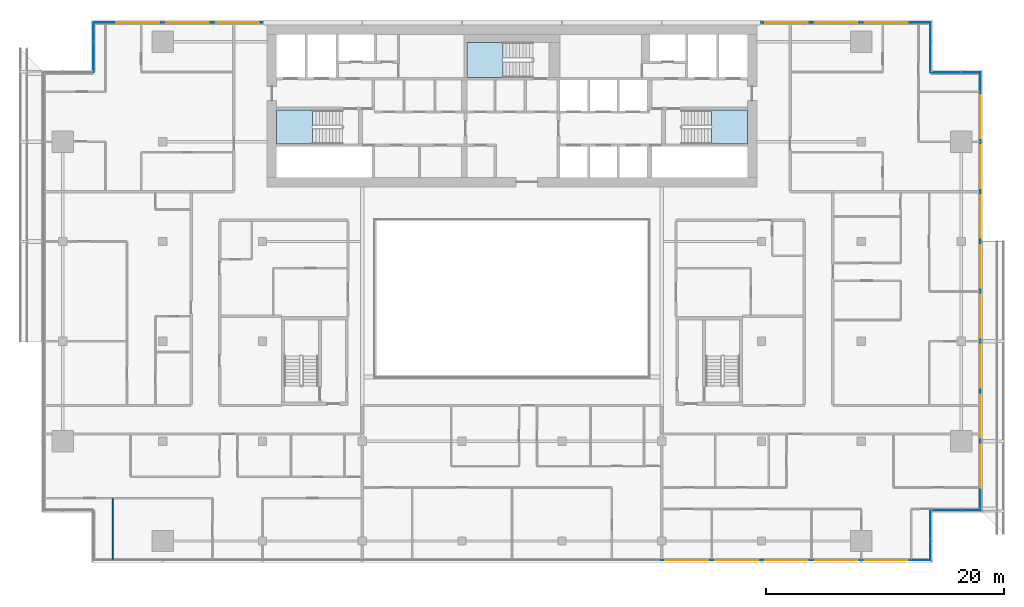
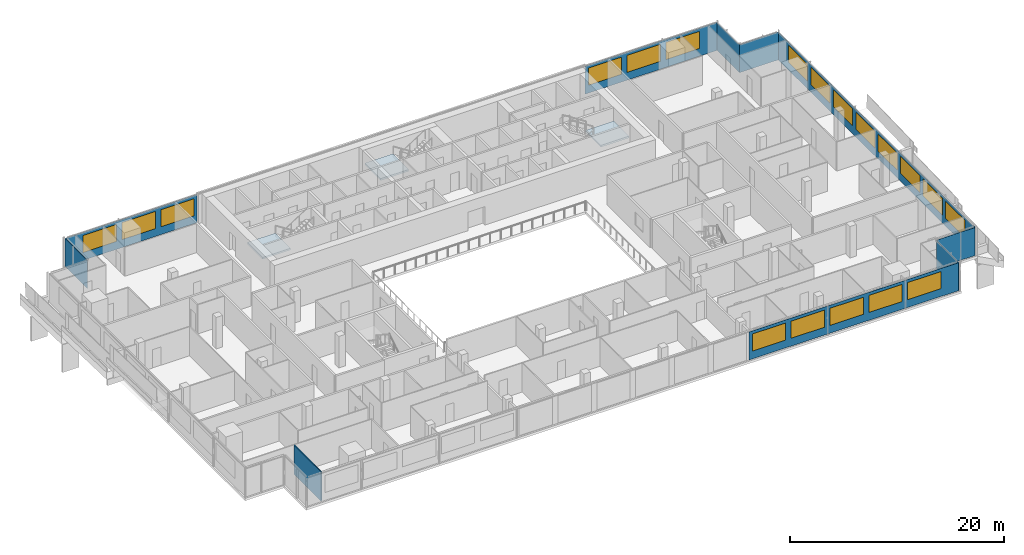
# One storey, part 15 of 27: 19 windows, 9 plates, 3 slabs, 1 wall, 19 openings, 11 elements without a shape of their own.
"""IFC4 building model written with IfcOpenShell, lengths in metres."""

from ifc_helpers import new_model, si_unit, direction, frame, frame_2d, origin, place, context, subcontext, project, spatial, polyline, rectangle, outline, extrude, material, layer, layer_set, type_object, element, fill, aggregate, save


model = new_model("IFC4")

# Units and contexts
model_context = context("Model", 3, precision=1e-05, world=origin(), true_north=direction((0.0, 1.0)))
body_context = subcontext(model_context, "Body", "Model", "MODEL_VIEW")
ifc_project = project(units=[si_unit("LENGTHUNIT", "METRE"), si_unit("AREAUNIT", "SQUARE_METRE"), si_unit("VOLUMEUNIT", "CUBIC_METRE"), si_unit("PLANEANGLEUNIT", "RADIAN"), si_unit("MASSUNIT", "GRAM", prefix="KILO")], contexts=[model_context])

# Site, building, storey
site_placement = place(None, origin())
site = spatial("IfcSite", under=ifc_project, at=site_placement, CompositionType="ELEMENT")
building_placement = place(site_placement, origin())
building = spatial("IfcBuilding", under=site, at=building_placement, Name="Saffron Gate Tower", CompositionType="ELEMENT")
storey_placement = place(building_placement, frame((0.0, 0.0, 183.449951171875)))
storey = spatial("IfcBuildingStorey", under=building, at=storey_placement, Name="L45", CompositionType="ELEMENT", Elevation=183.449951171875)

# Curtain wall, plate, openings, windows
ifc_material_1 = material(Name="Aluminium, bronze anodised", Category="aluminium")
curtain_wall_type_1 = type_object("IfcCurtainWallType", Name="CWS1 curtain wall front facade", PredefinedType="NOTDEFINED", material=ifc_material_1)
curtain_wall_1_placement = place(storey_placement, origin())
curtain_wall_1 = element("IfcCurtainWall", 1, at=curtain_wall_1_placement, inside=storey, type_object=curtain_wall_type_1, Name="CWS1 run 1", PredefinedType="NOTDEFINED")
ifc_material_2 = material(Name="Fritted bronze-tinted laminated glass", Category="glass")
ifc_layer_1 = layer(ifc_material_2, 0.028076171875)
ifc_layer_set_1 = layer_set([ifc_layer_1], Name="CWS1 fixed glass")
plate_type_1 = type_object("IfcPlateType", Name="CWS1 fixed glass", PredefinedType="CURTAIN_PANEL", material=ifc_layer_set_1)
plate_1_placement = place(storey_placement, frame((100.169921875, 30.174072265625, 0.0), z_axis=(0.0, 0.0, 1.0), x_axis=(1.0, 0.0, 0.0)))
plate_1 = element("IfcPlate", 2, at=plate_1_placement, type_object=plate_type_1, Name="CWS1 glass panel", PredefinedType="CURTAIN_PANEL", context=body_context, shape_type="SweptSolid", body=[
    extrude(rectangle(XDim=22.64208984375, YDim=0.028076171875, at=frame_2d((11.321044921875, 0.0))), origin(), (0.0, 0.0, 1.0), 3.199951171875),
])
opening_1_placement = place(plate_1_placement, frame((0.330078125, 0.0, 0.89990234375)))
opening_1 = element("IfcOpeningElement", 3, at=opening_1_placement, cuts=plate_1, Name="Opening W1", PredefinedType="OPENING", context=body_context, shape_type="SweptSolid", body=[
    extrude(rectangle(XDim=3.60009765625, YDim=1.949951171875, at=frame_2d((1.800048828125, 0.97509765625))), frame((0.0, 0.02392578125, 0.0), z_axis=(0.0, -1.0, 0.0), x_axis=(1.0, 0.0, 0.0)), (0.0, 0.0, 1.0), 0.048095703125),
])
opening_2_placement = place(plate_1_placement, frame((4.530029296875, 0.0, 0.89990234375)))
opening_2 = element("IfcOpeningElement", 4, at=opening_2_placement, cuts=plate_1, Name="Opening W1", PredefinedType="OPENING", context=body_context, shape_type="SweptSolid", body=[
    extrude(rectangle(XDim=3.60009765625, YDim=1.949951171875, at=frame_2d((1.800048828125, 0.97509765625))), frame((0.0, 0.02392578125, 0.0), z_axis=(0.0, -1.0, 0.0), x_axis=(1.0, 0.0, 0.0)), (0.0, 0.0, 1.0), 0.048095703125),
])
opening_3_placement = place(plate_1_placement, frame((8.72998046875, 0.0, 0.89990234375)))
opening_3 = element("IfcOpeningElement", 5, at=opening_3_placement, cuts=plate_1, Name="Opening W1", PredefinedType="OPENING", context=body_context, shape_type="SweptSolid", body=[
    extrude(rectangle(XDim=3.60009765625, YDim=1.949951171875, at=frame_2d((1.800048828125, 0.97509765625))), frame((0.0, 0.02392578125, 0.0), z_axis=(0.0, -1.0, 0.0), x_axis=(1.0, 0.0, 0.0)), (0.0, 0.0, 1.0), 0.048095703125),
])
opening_4_placement = place(plate_1_placement, frame((12.929931640625, 0.0, 0.89990234375)))
opening_4 = element("IfcOpeningElement", 6, at=opening_4_placement, cuts=plate_1, Name="Opening W1", PredefinedType="OPENING", context=body_context, shape_type="SweptSolid", body=[
    extrude(rectangle(XDim=3.60009765625, YDim=1.949951171875, at=frame_2d((1.800048828125, 0.97509765625))), frame((0.0, 0.02392578125, 0.0), z_axis=(0.0, -1.0, 0.0), x_axis=(1.0, 0.0, 0.0)), (0.0, 0.0, 1.0), 0.048095703125),
])
opening_5_placement = place(plate_1_placement, frame((17.1298828125, 0.0, 0.89990234375)))
opening_5 = element("IfcOpeningElement", 7, at=opening_5_placement, cuts=plate_1, Name="Opening W1", PredefinedType="OPENING", context=body_context, shape_type="SweptSolid", body=[
    extrude(rectangle(XDim=3.60009765625, YDim=1.949951171875, at=frame_2d((1.800048828125, 0.97509765625))), frame((0.0, 0.02392578125, 0.0), z_axis=(0.0, -1.0, 0.0), x_axis=(1.0, 0.0, 0.0)), (0.0, 0.0, 1.0), 0.048095703125),
])
ifc_material_3 = material(Name="Fritted bronze-tinted laminated glass in bronze frame", Category="glass")
ifc_layer_2 = layer(ifc_material_3, 0.06005859375)
ifc_layer_set_2 = layer_set([ifc_layer_2], Name="W1 operable panel 3600x1950")
window_type = type_object("IfcWindowType", Name="W1 operable panel 3600x1950", PartitioningType="DOUBLE_PANEL_HORIZONTAL", PredefinedType="WINDOW", material=ifc_layer_set_2)
window_1_placement = place(opening_1_placement, origin())
window_1 = element("IfcWindow", 8, at=window_1_placement, type_object=window_type, Name="W1 operable panel", OverallHeight=1.949951171875, OverallWidth=3.60009765625, PartitioningType="SINGLE_PANEL", PredefinedType="WINDOW", context=body_context, shape_type="SweptSolid", body=[
    extrude(rectangle(XDim=3.60009765625, YDim=1.949951171875, at=frame_2d((1.800048828125, 0.97509765625))), frame((0.0, 0.013671875, 0.0), z_axis=(0.0, -1.0, 0.0), x_axis=(1.0, 0.0, 0.0)), (0.0, 0.0, 1.0), 0.027587890625),
])
fill(opening_1, window_1)
window_2_placement = place(opening_2_placement, origin())
window_2 = element("IfcWindow", 9, at=window_2_placement, type_object=window_type, Name="W1 operable panel", OverallHeight=1.949951171875, OverallWidth=3.60009765625, PartitioningType="SINGLE_PANEL", PredefinedType="WINDOW", context=body_context, shape_type="SweptSolid", body=[
    extrude(rectangle(XDim=3.60009765625, YDim=1.949951171875, at=frame_2d((1.800048828125, 0.97509765625))), frame((0.0, 0.013671875, 0.0), z_axis=(0.0, -1.0, 0.0), x_axis=(1.0, 0.0, 0.0)), (0.0, 0.0, 1.0), 0.027587890625),
])
fill(opening_2, window_2)
window_3_placement = place(opening_3_placement, origin())
window_3 = element("IfcWindow", 10, at=window_3_placement, type_object=window_type, Name="W1 operable panel", OverallHeight=1.949951171875, OverallWidth=3.60009765625, PartitioningType="SINGLE_PANEL", PredefinedType="WINDOW", context=body_context, shape_type="SweptSolid", body=[
    extrude(rectangle(XDim=3.60009765625, YDim=1.949951171875, at=frame_2d((1.800048828125, 0.97509765625))), frame((0.0, 0.013671875, 0.0), z_axis=(0.0, -1.0, 0.0), x_axis=(1.0, 0.0, 0.0)), (0.0, 0.0, 1.0), 0.027587890625),
])
fill(opening_3, window_3)
window_4_placement = place(opening_4_placement, origin())
window_4 = element("IfcWindow", 11, at=window_4_placement, type_object=window_type, Name="W1 operable panel", OverallHeight=1.949951171875, OverallWidth=3.60009765625, PartitioningType="SINGLE_PANEL", PredefinedType="WINDOW", context=body_context, shape_type="SweptSolid", body=[
    extrude(rectangle(XDim=3.60009765625, YDim=1.949951171875, at=frame_2d((1.800048828125, 0.97509765625))), frame((0.0, 0.013671875, 0.0), z_axis=(0.0, -1.0, 0.0), x_axis=(1.0, 0.0, 0.0)), (0.0, 0.0, 1.0), 0.027587890625),
])
fill(opening_4, window_4)
window_5_placement = place(opening_5_placement, origin())
window_5 = element("IfcWindow", 12, at=window_5_placement, type_object=window_type, Name="W1 operable panel", OverallHeight=1.949951171875, OverallWidth=3.60009765625, PartitioningType="SINGLE_PANEL", PredefinedType="WINDOW", context=body_context, shape_type="SweptSolid", body=[
    extrude(rectangle(XDim=3.60009765625, YDim=1.949951171875, at=frame_2d((1.800048828125, 0.97509765625))), frame((0.0, 0.013671875, 0.0), z_axis=(0.0, -1.0, 0.0), x_axis=(1.0, 0.0, 0.0)), (0.0, 0.0, 1.0), 0.027587890625),
])
fill(opening_5, window_5)
aggregate(curtain_wall_1, [plate_1, window_1, window_2, window_3, window_4, window_5])

curtain_wall_type_2 = type_object("IfcCurtainWallType", Name="CWS2 curtain wall side facades", PredefinedType="NOTDEFINED", material=ifc_material_1)
curtain_wall_2_placement = place(storey_placement, origin())
curtain_wall_2 = element("IfcCurtainWall", 13, at=curtain_wall_2_placement, inside=storey, type_object=curtain_wall_type_2, Name="CWS2 run 4", PredefinedType="NOTDEFINED")
ifc_layer_3 = layer(ifc_material_2, 0.028076171875)
ifc_layer_set_3 = layer_set([ifc_layer_3], Name="CWS2 fixed glass")
plate_type_2 = type_object("IfcPlateType", Name="CWS2 fixed glass", PredefinedType="CURTAIN_PANEL", material=ifc_layer_set_3)
plate_2_placement = place(storey_placement, frame((127.02587890625, 34.387939453125, 0.0), z_axis=(0.0, 0.0, 1.0), x_axis=(0.0, 1.0, 0.0)))
plate_2 = element("IfcPlate", 14, at=plate_2_placement, type_object=plate_type_2, Name="CWS2 glass panel", PredefinedType="CURTAIN_PANEL", context=body_context, shape_type="SweptSolid", body=[
    extrude(rectangle(XDim=36.823974609375, YDim=0.028076171875, at=frame_2d((18.412109375, 0.0))), origin(), (0.0, 0.0, 1.0), 3.199951171875),
])
opening_6_placement = place(plate_2_placement, frame((1.912109375, 0.0, 0.89990234375)))
opening_6 = element("IfcOpeningElement", 15, at=opening_6_placement, cuts=plate_2, Name="Opening W1", PredefinedType="OPENING", context=body_context, shape_type="SweptSolid", body=[
    extrude(rectangle(XDim=3.60009765625, YDim=1.949951171875, at=frame_2d((1.800048828125, 0.97509765625))), frame((0.0, 0.02392578125, 0.0), z_axis=(0.0, -1.0, 0.0), x_axis=(1.0, 0.0, 0.0)), (0.0, 0.0, 1.0), 0.048095703125),
])
opening_7_placement = place(plate_2_placement, frame((6.112060546875, 0.0, 0.89990234375)))
opening_7 = element("IfcOpeningElement", 16, at=opening_7_placement, cuts=plate_2, Name="Opening W1", PredefinedType="OPENING", context=body_context, shape_type="SweptSolid", body=[
    extrude(rectangle(XDim=3.60009765625, YDim=1.949951171875, at=frame_2d((1.800048828125, 0.97509765625))), frame((0.0, 0.02392578125, 0.0), z_axis=(0.0, -1.0, 0.0), x_axis=(1.0, 0.0, 0.0)), (0.0, 0.0, 1.0), 0.048095703125),
])
opening_8_placement = place(plate_2_placement, frame((10.31201171875, 0.0, 0.89990234375)))
opening_8 = element("IfcOpeningElement", 17, at=opening_8_placement, cuts=plate_2, Name="Opening W1", PredefinedType="OPENING", context=body_context, shape_type="SweptSolid", body=[
    extrude(rectangle(XDim=3.60009765625, YDim=1.949951171875, at=frame_2d((1.800048828125, 0.97509765625))), frame((0.0, 0.02392578125, 0.0), z_axis=(0.0, -1.0, 0.0), x_axis=(1.0, 0.0, 0.0)), (0.0, 0.0, 1.0), 0.048095703125),
])
opening_9_placement = place(plate_2_placement, frame((14.511962890625, 0.0, 0.89990234375)))
opening_9 = element("IfcOpeningElement", 18, at=opening_9_placement, cuts=plate_2, Name="Opening W1", PredefinedType="OPENING", context=body_context, shape_type="SweptSolid", body=[
    extrude(rectangle(XDim=3.60009765625, YDim=1.949951171875, at=frame_2d((1.800048828125, 0.97509765625))), frame((0.0, 0.02392578125, 0.0), z_axis=(0.0, -1.0, 0.0), x_axis=(1.0, 0.0, 0.0)), (0.0, 0.0, 1.0), 0.048095703125),
])
opening_10_placement = place(plate_2_placement, frame((18.7119140625, 0.0, 0.89990234375)))
opening_10 = element("IfcOpeningElement", 19, at=opening_10_placement, cuts=plate_2, Name="Opening W1", PredefinedType="OPENING", context=body_context, shape_type="SweptSolid", body=[
    extrude(rectangle(XDim=3.60009765625, YDim=1.949951171875, at=frame_2d((1.800048828125, 0.97509765625))), frame((0.0, 0.02392578125, 0.0), z_axis=(0.0, -1.0, 0.0), x_axis=(1.0, 0.0, 0.0)), (0.0, 0.0, 1.0), 0.048095703125),
])
opening_11_placement = place(plate_2_placement, frame((22.912109375, 0.0, 0.89990234375)))
opening_11 = element("IfcOpeningElement", 20, at=opening_11_placement, cuts=plate_2, Name="Opening W1", PredefinedType="OPENING", context=body_context, shape_type="SweptSolid", body=[
    extrude(rectangle(XDim=3.60009765625, YDim=1.949951171875, at=frame_2d((1.800048828125, 0.97509765625))), frame((0.0, 0.02392578125, 0.0), z_axis=(0.0, -1.0, 0.0), x_axis=(1.0, 0.0, 0.0)), (0.0, 0.0, 1.0), 0.048095703125),
])
opening_12_placement = place(plate_2_placement, frame((27.112060546875, 0.0, 0.89990234375)))
opening_12 = element("IfcOpeningElement", 21, at=opening_12_placement, cuts=plate_2, Name="Opening W1", PredefinedType="OPENING", context=body_context, shape_type="SweptSolid", body=[
    extrude(rectangle(XDim=3.60009765625, YDim=1.949951171875, at=frame_2d((1.800048828125, 0.97509765625))), frame((0.0, 0.02392578125, 0.0), z_axis=(0.0, -1.0, 0.0), x_axis=(1.0, 0.0, 0.0)), (0.0, 0.0, 1.0), 0.048095703125),
])
opening_13_placement = place(plate_2_placement, frame((31.31201171875, 0.0, 0.89990234375)))
opening_13 = element("IfcOpeningElement", 22, at=opening_13_placement, cuts=plate_2, Name="Opening W1", PredefinedType="OPENING", context=body_context, shape_type="SweptSolid", body=[
    extrude(rectangle(XDim=3.60009765625, YDim=1.949951171875, at=frame_2d((1.800048828125, 0.97509765625))), frame((0.0, 0.02392578125, 0.0), z_axis=(0.0, -1.0, 0.0), x_axis=(1.0, 0.0, 0.0)), (0.0, 0.0, 1.0), 0.048095703125),
])
window_6_placement = place(opening_6_placement, origin())
window_6 = element("IfcWindow", 23, at=window_6_placement, type_object=window_type, Name="W1 operable panel", OverallHeight=1.949951171875, OverallWidth=3.60009765625, PartitioningType="SINGLE_PANEL", PredefinedType="WINDOW", context=body_context, shape_type="SweptSolid", body=[
    extrude(rectangle(XDim=3.60009765625, YDim=1.949951171875, at=frame_2d((1.800048828125, 0.97509765625))), frame((0.0, 0.013671875, 0.0), z_axis=(0.0, -1.0, 0.0), x_axis=(1.0, 0.0, 0.0)), (0.0, 0.0, 1.0), 0.027587890625),
])
fill(opening_6, window_6)
window_7_placement = place(opening_7_placement, origin())
window_7 = element("IfcWindow", 24, at=window_7_placement, type_object=window_type, Name="W1 operable panel", OverallHeight=1.949951171875, OverallWidth=3.60009765625, PartitioningType="SINGLE_PANEL", PredefinedType="WINDOW", context=body_context, shape_type="SweptSolid", body=[
    extrude(rectangle(XDim=3.60009765625, YDim=1.949951171875, at=frame_2d((1.800048828125, 0.97509765625))), frame((0.0, 0.013671875, 0.0), z_axis=(0.0, -1.0, 0.0), x_axis=(1.0, 0.0, 0.0)), (0.0, 0.0, 1.0), 0.027587890625),
])
fill(opening_7, window_7)
window_8_placement = place(opening_8_placement, origin())
window_8 = element("IfcWindow", 25, at=window_8_placement, type_object=window_type, Name="W1 operable panel", OverallHeight=1.949951171875, OverallWidth=3.60009765625, PartitioningType="SINGLE_PANEL", PredefinedType="WINDOW", context=body_context, shape_type="SweptSolid", body=[
    extrude(rectangle(XDim=3.60009765625, YDim=1.949951171875, at=frame_2d((1.800048828125, 0.97509765625))), frame((0.0, 0.013671875, 0.0), z_axis=(0.0, -1.0, 0.0), x_axis=(1.0, 0.0, 0.0)), (0.0, 0.0, 1.0), 0.027587890625),
])
fill(opening_8, window_8)
window_9_placement = place(opening_9_placement, origin())
window_9 = element("IfcWindow", 26, at=window_9_placement, type_object=window_type, Name="W1 operable panel", OverallHeight=1.949951171875, OverallWidth=3.60009765625, PartitioningType="SINGLE_PANEL", PredefinedType="WINDOW", context=body_context, shape_type="SweptSolid", body=[
    extrude(rectangle(XDim=3.60009765625, YDim=1.949951171875, at=frame_2d((1.800048828125, 0.97509765625))), frame((0.0, 0.013671875, 0.0), z_axis=(0.0, -1.0, 0.0), x_axis=(1.0, 0.0, 0.0)), (0.0, 0.0, 1.0), 0.027587890625),
])
fill(opening_9, window_9)
window_10_placement = place(opening_10_placement, origin())
window_10 = element("IfcWindow", 27, at=window_10_placement, type_object=window_type, Name="W1 operable panel", OverallHeight=1.949951171875, OverallWidth=3.60009765625, PartitioningType="SINGLE_PANEL", PredefinedType="WINDOW", context=body_context, shape_type="SweptSolid", body=[
    extrude(rectangle(XDim=3.60009765625, YDim=1.949951171875, at=frame_2d((1.800048828125, 0.97509765625))), frame((0.0, 0.013671875, 0.0), z_axis=(0.0, -1.0, 0.0), x_axis=(1.0, 0.0, 0.0)), (0.0, 0.0, 1.0), 0.027587890625),
])
fill(opening_10, window_10)
window_11_placement = place(opening_11_placement, origin())
window_11 = element("IfcWindow", 28, at=window_11_placement, type_object=window_type, Name="W1 operable panel", OverallHeight=1.949951171875, OverallWidth=3.60009765625, PartitioningType="SINGLE_PANEL", PredefinedType="WINDOW", context=body_context, shape_type="SweptSolid", body=[
    extrude(rectangle(XDim=3.60009765625, YDim=1.949951171875, at=frame_2d((1.800048828125, 0.97509765625))), frame((0.0, 0.013671875, 0.0), z_axis=(0.0, -1.0, 0.0), x_axis=(1.0, 0.0, 0.0)), (0.0, 0.0, 1.0), 0.027587890625),
])
fill(opening_11, window_11)
window_12_placement = place(opening_12_placement, origin())
window_12 = element("IfcWindow", 29, at=window_12_placement, type_object=window_type, Name="W1 operable panel", OverallHeight=1.949951171875, OverallWidth=3.60009765625, PartitioningType="SINGLE_PANEL", PredefinedType="WINDOW", context=body_context, shape_type="SweptSolid", body=[
    extrude(rectangle(XDim=3.60009765625, YDim=1.949951171875, at=frame_2d((1.800048828125, 0.97509765625))), frame((0.0, 0.013671875, 0.0), z_axis=(0.0, -1.0, 0.0), x_axis=(1.0, 0.0, 0.0)), (0.0, 0.0, 1.0), 0.027587890625),
])
fill(opening_12, window_12)
window_13_placement = place(opening_13_placement, origin())
window_13 = element("IfcWindow", 30, at=window_13_placement, type_object=window_type, Name="W1 operable panel", OverallHeight=1.949951171875, OverallWidth=3.60009765625, PartitioningType="SINGLE_PANEL", PredefinedType="WINDOW", context=body_context, shape_type="SweptSolid", body=[
    extrude(rectangle(XDim=3.60009765625, YDim=1.949951171875, at=frame_2d((1.800048828125, 0.97509765625))), frame((0.0, 0.013671875, 0.0), z_axis=(0.0, -1.0, 0.0), x_axis=(1.0, 0.0, 0.0)), (0.0, 0.0, 1.0), 0.027587890625),
])
fill(opening_13, window_13)
aggregate(curtain_wall_2, [plate_2, window_6, window_7, window_8, window_9, window_10, window_11, window_12, window_13])

# Curtain wall, plates, openings, windows
curtain_wall_type_3 = type_object("IfcCurtainWallType", Name="CWS3 curtain wall rear facade", PredefinedType="NOTDEFINED", material=ifc_material_1)
curtain_wall_3_placement = place(storey_placement, origin())
curtain_wall_3 = element("IfcCurtainWall", 31, at=curtain_wall_3_placement, inside=storey, type_object=curtain_wall_type_3, Name="CWS3 run 7", PredefinedType="NOTDEFINED")
ifc_material_4 = material(Name="Fritted grey-tinted laminated glass", Category="glass")
ifc_layer_4 = layer(ifc_material_4, 0.028076171875)
ifc_layer_set_4 = layer_set([ifc_layer_4], Name="CWS3 fixed glass")
plate_type_3 = type_object("IfcPlateType", Name="CWS3 fixed glass", PredefinedType="CURTAIN_PANEL", material=ifc_layer_set_4)
plate_3_placement = place(storey_placement, frame((122.81201171875, 75.426025390625, 0.0), z_axis=(0.0, 0.0, 1.0), x_axis=(-1.0, 0.0, 0.0)))
plate_3 = element("IfcPlate", 32, at=plate_3_placement, type_object=plate_type_3, Name="CWS3 glass panel", PredefinedType="CURTAIN_PANEL", context=body_context, shape_type="SweptSolid", body=[
    extrude(rectangle(XDim=14.2470703125, YDim=0.028076171875, at=frame_2d((7.12353515625, 0.0))), origin(), (0.0, 0.0, 1.0), 3.199951171875),
])
opening_14_placement = place(plate_3_placement, frame((1.912109375, 0.0, 0.89990234375)))
opening_14 = element("IfcOpeningElement", 33, at=opening_14_placement, cuts=plate_3, Name="Opening W1", PredefinedType="OPENING", context=body_context, shape_type="SweptSolid", body=[
    extrude(rectangle(XDim=3.60009765625, YDim=1.949951171875, at=frame_2d((1.800048828125, 0.97509765625))), frame((0.0, 0.02392578125, 0.0), z_axis=(0.0, -1.0, 0.0), x_axis=(1.0, 0.0, 0.0)), (0.0, 0.0, 1.0), 0.048095703125),
])
opening_15_placement = place(plate_3_placement, frame((6.112060546875, 0.0, 0.89990234375)))
opening_15 = element("IfcOpeningElement", 34, at=opening_15_placement, cuts=plate_3, Name="Opening W1", PredefinedType="OPENING", context=body_context, shape_type="SweptSolid", body=[
    extrude(rectangle(XDim=3.60009765625, YDim=1.949951171875, at=frame_2d((1.800048828125, 0.97509765625))), frame((0.0, 0.02392578125, 0.0), z_axis=(0.0, -1.0, 0.0), x_axis=(1.0, 0.0, 0.0)), (0.0, 0.0, 1.0), 0.048095703125),
])
opening_16_placement = place(plate_3_placement, frame((10.31201171875, 0.0, 0.89990234375)))
opening_16 = element("IfcOpeningElement", 35, at=opening_16_placement, cuts=plate_3, Name="Opening W1", PredefinedType="OPENING", context=body_context, shape_type="SweptSolid", body=[
    extrude(rectangle(XDim=3.60009765625, YDim=1.949951171875, at=frame_2d((1.800048828125, 0.97509765625))), frame((0.0, 0.02392578125, 0.0), z_axis=(0.0, -1.0, 0.0), x_axis=(1.0, 0.0, 0.0)), (0.0, 0.0, 1.0), 0.048095703125),
])
window_14_placement = place(opening_14_placement, origin())
window_14 = element("IfcWindow", 36, at=window_14_placement, type_object=window_type, Name="W1 operable panel", OverallHeight=1.949951171875, OverallWidth=3.60009765625, PartitioningType="SINGLE_PANEL", PredefinedType="WINDOW", context=body_context, shape_type="SweptSolid", body=[
    extrude(rectangle(XDim=3.60009765625, YDim=1.949951171875, at=frame_2d((1.800048828125, 0.97509765625))), frame((0.0, 0.013671875, 0.0), z_axis=(0.0, -1.0, 0.0), x_axis=(1.0, 0.0, 0.0)), (0.0, 0.0, 1.0), 0.027587890625),
])
fill(opening_14, window_14)
window_15_placement = place(opening_15_placement, origin())
window_15 = element("IfcWindow", 37, at=window_15_placement, type_object=window_type, Name="W1 operable panel", OverallHeight=1.949951171875, OverallWidth=3.60009765625, PartitioningType="SINGLE_PANEL", PredefinedType="WINDOW", context=body_context, shape_type="SweptSolid", body=[
    extrude(rectangle(XDim=3.60009765625, YDim=1.949951171875, at=frame_2d((1.800048828125, 0.97509765625))), frame((0.0, 0.013671875, 0.0), z_axis=(0.0, -1.0, 0.0), x_axis=(1.0, 0.0, 0.0)), (0.0, 0.0, 1.0), 0.027587890625),
])
fill(opening_15, window_15)
window_16_placement = place(opening_16_placement, origin())
window_16 = element("IfcWindow", 38, at=window_16_placement, type_object=window_type, Name="W1 operable panel", OverallHeight=1.949951171875, OverallWidth=3.60009765625, PartitioningType="SINGLE_PANEL", PredefinedType="WINDOW", context=body_context, shape_type="SweptSolid", body=[
    extrude(rectangle(XDim=3.60009765625, YDim=1.949951171875, at=frame_2d((1.800048828125, 0.97509765625))), frame((0.0, 0.013671875, 0.0), z_axis=(0.0, -1.0, 0.0), x_axis=(1.0, 0.0, 0.0)), (0.0, 0.0, 1.0), 0.027587890625),
])
fill(opening_16, window_16)
plate_4_placement = place(storey_placement, frame((66.635009765625, 75.426025390625, 0.0), z_axis=(0.0, 0.0, 1.0), x_axis=(-1.0, 0.0, 0.0)))
plate_4 = element("IfcPlate", 39, at=plate_4_placement, type_object=plate_type_3, Name="CWS3 glass panel", PredefinedType="CURTAIN_PANEL", context=body_context, shape_type="SweptSolid", body=[
    extrude(rectangle(XDim=14.2470703125, YDim=0.028076171875, at=frame_2d((7.12353515625, 0.0))), origin(), (0.0, 0.0, 1.0), 3.199951171875),
])
opening_17_placement = place(plate_4_placement, frame((0.3349609375, 0.0, 0.89990234375)))
opening_17 = element("IfcOpeningElement", 40, at=opening_17_placement, cuts=plate_4, Name="Opening W1", PredefinedType="OPENING", context=body_context, shape_type="SweptSolid", body=[
    extrude(rectangle(XDim=3.60009765625, YDim=1.949951171875, at=frame_2d((1.800048828125, 0.97509765625))), frame((0.0, 0.02392578125, 0.0), z_axis=(0.0, -1.0, 0.0), x_axis=(1.0, 0.0, 0.0)), (0.0, 0.0, 1.0), 0.048095703125),
])
opening_18_placement = place(plate_4_placement, frame((4.534912109375, 0.0, 0.89990234375)))
opening_18 = element("IfcOpeningElement", 41, at=opening_18_placement, cuts=plate_4, Name="Opening W1", PredefinedType="OPENING", context=body_context, shape_type="SweptSolid", body=[
    extrude(rectangle(XDim=3.60009765625, YDim=1.949951171875, at=frame_2d((1.800048828125, 0.97509765625))), frame((0.0, 0.02392578125, 0.0), z_axis=(0.0, -1.0, 0.0), x_axis=(1.0, 0.0, 0.0)), (0.0, 0.0, 1.0), 0.048095703125),
])
opening_19_placement = place(plate_4_placement, frame((8.735107421875, 0.0, 0.89990234375)))
opening_19 = element("IfcOpeningElement", 42, at=opening_19_placement, cuts=plate_4, Name="Opening W1", PredefinedType="OPENING", context=body_context, shape_type="SweptSolid", body=[
    extrude(rectangle(XDim=3.60009765625, YDim=1.949951171875, at=frame_2d((1.800048828125, 0.97509765625))), frame((0.0, 0.02392578125, 0.0), z_axis=(0.0, -1.0, 0.0), x_axis=(1.0, 0.0, 0.0)), (0.0, 0.0, 1.0), 0.048095703125),
])
window_17_placement = place(opening_17_placement, origin())
window_17 = element("IfcWindow", 43, at=window_17_placement, type_object=window_type, Name="W1 operable panel", OverallHeight=1.949951171875, OverallWidth=3.60009765625, PartitioningType="SINGLE_PANEL", PredefinedType="WINDOW", context=body_context, shape_type="SweptSolid", body=[
    extrude(rectangle(XDim=3.60009765625, YDim=1.949951171875, at=frame_2d((1.800048828125, 0.97509765625))), frame((0.0, 0.013671875, 0.0), z_axis=(0.0, -1.0, 0.0), x_axis=(1.0, 0.0, 0.0)), (0.0, 0.0, 1.0), 0.027587890625),
])
fill(opening_17, window_17)
window_18_placement = place(opening_18_placement, origin())
window_18 = element("IfcWindow", 44, at=window_18_placement, type_object=window_type, Name="W1 operable panel", OverallHeight=1.949951171875, OverallWidth=3.60009765625, PartitioningType="SINGLE_PANEL", PredefinedType="WINDOW", context=body_context, shape_type="SweptSolid", body=[
    extrude(rectangle(XDim=3.60009765625, YDim=1.949951171875, at=frame_2d((1.800048828125, 0.97509765625))), frame((0.0, 0.013671875, 0.0), z_axis=(0.0, -1.0, 0.0), x_axis=(1.0, 0.0, 0.0)), (0.0, 0.0, 1.0), 0.027587890625),
])
fill(opening_18, window_18)
window_19_placement = place(opening_19_placement, origin())
window_19 = element("IfcWindow", 45, at=window_19_placement, type_object=window_type, Name="W1 operable panel", OverallHeight=1.949951171875, OverallWidth=3.60009765625, PartitioningType="SINGLE_PANEL", PredefinedType="WINDOW", context=body_context, shape_type="SweptSolid", body=[
    extrude(rectangle(XDim=3.60009765625, YDim=1.949951171875, at=frame_2d((1.800048828125, 0.97509765625))), frame((0.0, 0.013671875, 0.0), z_axis=(0.0, -1.0, 0.0), x_axis=(1.0, 0.0, 0.0)), (0.0, 0.0, 1.0), 0.027587890625),
])
fill(opening_19, window_19)
aggregate(curtain_wall_3, [plate_3, plate_4, window_14, window_15, window_16, window_17, window_18, window_19])

# Curtain wall, plate
curtain_wall_type_4 = type_object("IfcCurtainWallType", Name="CWS4 curtain wall corner returns", PredefinedType="NOTDEFINED", material=ifc_material_1)
curtain_wall_4_placement = place(storey_placement, origin())
curtain_wall_4 = element("IfcCurtainWall", 46, at=curtain_wall_4_placement, inside=storey, type_object=curtain_wall_type_4, Name="CWS4 run 2", PredefinedType="NOTDEFINED")
ifc_layer_5 = layer(ifc_material_2, 0.028076171875)
ifc_layer_set_5 = layer_set([ifc_layer_5], Name="CWS4 fixed glass")
plate_type_4 = type_object("IfcPlateType", Name="CWS4 fixed glass", PredefinedType="CURTAIN_PANEL", material=ifc_layer_set_5)
plate_5_placement = place(storey_placement, frame((122.825927734375, 30.18798828125, 0.0), z_axis=(0.0, 0.0, 1.0), x_axis=(0.0, 1.0, 0.0)))
plate_5 = element("IfcPlate", 47, at=plate_5_placement, type_object=plate_type_4, Name="CWS4 glass panel", PredefinedType="CURTAIN_PANEL", context=body_context, shape_type="SweptSolid", body=[
    extrude(rectangle(XDim=4.172119140625, YDim=0.028076171875, at=frame_2d((2.0859375, 0.0))), origin(), (0.0, 0.0, 1.0), 3.199951171875),
])
aggregate(curtain_wall_4, [plate_5])

curtain_wall_5_placement = place(storey_placement, origin())
curtain_wall_5 = element("IfcCurtainWall", 48, at=curtain_wall_5_placement, inside=storey, type_object=curtain_wall_type_4, Name="CWS4 run 3", PredefinedType="NOTDEFINED")
plate_6_placement = place(storey_placement, frame((122.840087890625, 34.3740234375, 0.0), z_axis=(0.0, 0.0, 1.0), x_axis=(1.0, 0.0, 0.0)))
plate_6 = element("IfcPlate", 49, at=plate_6_placement, type_object=plate_type_4, Name="CWS4 glass panel", PredefinedType="CURTAIN_PANEL", context=body_context, shape_type="SweptSolid", body=[
    extrude(rectangle(XDim=4.171875, YDim=0.028076171875, at=frame_2d((2.0859375, 0.0))), origin(), (0.0, 0.0, 1.0), 3.199951171875),
])
aggregate(curtain_wall_5, [plate_6])

curtain_wall_6_placement = place(storey_placement, origin())
curtain_wall_6 = element("IfcCurtainWall", 50, at=curtain_wall_6_placement, inside=storey, type_object=curtain_wall_type_4, Name="CWS4 run 5", PredefinedType="NOTDEFINED")
plate_7_placement = place(storey_placement, frame((127.011962890625, 71.22607421875, 0.0), z_axis=(0.0, 0.0, 1.0), x_axis=(-1.0, 0.0, 0.0)))
plate_7 = element("IfcPlate", 51, at=plate_7_placement, type_object=plate_type_4, Name="CWS4 glass panel", PredefinedType="CURTAIN_PANEL", context=body_context, shape_type="SweptSolid", body=[
    extrude(rectangle(XDim=4.171875, YDim=0.028076171875, at=frame_2d((2.0859375, 0.0))), origin(), (0.0, 0.0, 1.0), 3.199951171875),
])
aggregate(curtain_wall_6, [plate_7])

curtain_wall_7_placement = place(storey_placement, origin())
curtain_wall_7 = element("IfcCurtainWall", 52, at=curtain_wall_7_placement, inside=storey, type_object=curtain_wall_type_4, Name="CWS4 run 6", PredefinedType="NOTDEFINED")
plate_8_placement = place(storey_placement, frame((122.825927734375, 71.239990234375, 0.0), z_axis=(0.0, 0.0, 1.0), x_axis=(0.0, 1.0, 0.0)))
plate_8 = element("IfcPlate", 53, at=plate_8_placement, type_object=plate_type_4, Name="CWS4 glass panel", PredefinedType="CURTAIN_PANEL", context=body_context, shape_type="SweptSolid", body=[
    extrude(rectangle(XDim=4.172119140625, YDim=0.028076171875, at=frame_2d((2.0859375, 0.0))), origin(), (0.0, 0.0, 1.0), 3.199951171875),
])
aggregate(curtain_wall_7, [plate_8])

curtain_wall_8_placement = place(storey_placement, origin())
curtain_wall_8 = element("IfcCurtainWall", 54, at=curtain_wall_8_placement, inside=storey, type_object=curtain_wall_type_4, Name="CWS4 run 8", PredefinedType="NOTDEFINED")
plate_9_placement = place(storey_placement, frame((52.3740234375, 75.412109375, 0.0), z_axis=(0.0, 0.0, 1.0), x_axis=(0.0, -1.0, 0.0)))
plate_9 = element("IfcPlate", 55, at=plate_9_placement, type_object=plate_type_4, Name="CWS4 glass panel", PredefinedType="CURTAIN_PANEL", context=body_context, shape_type="SweptSolid", body=[
    extrude(rectangle(XDim=4.172119140625, YDim=0.028076171875, at=frame_2d((2.0859375, 0.0))), origin(), (0.0, 0.0, 1.0), 3.199951171875),
])
aggregate(curtain_wall_8, [plate_9])

# Stair, slab
ifc_material_5 = material(Name="Concrete C40", Category="concrete")
stair_type = type_object("IfcStairType", Name="ST7 Stair 1350 wide, 20 risers of 180", PredefinedType="HALF_TURN_STAIR", material=ifc_material_5)
stair_1_placement = place(storey_placement, origin())
stair_1 = element("IfcStair", 56, at=stair_1_placement, inside=storey, type_object=stair_type, Name="L45 Exit stair A", PredefinedType="HALF_TURN_STAIR")
ifc_layer_6 = layer(ifc_material_5, 0.199951171875)
ifc_layer_set_6 = layer_set([ifc_layer_6], Name="SL1 Stair landing 200")
slab_type = type_object("IfcSlabType", Name="SL1 Stair landing 200", PredefinedType="LANDING", material=ifc_layer_set_6)
slab_1_placement = place(storey_placement, frame((0.0, 0.0, 1.60009765625)))
slab_1 = element("IfcSlab", 57, at=slab_1_placement, type_object=slab_type, Name="ST-A landing 1", PredefinedType="LANDING", context=body_context, shape_type="SweptSolid", body=[
    extrude(outline(polyline([(70.830078125, 68.050048828125), (67.800048828125, 68.050048828125), (67.800048828125, 65.199951171875), (70.830078125, 65.199951171875), (70.830078125, 68.050048828125)])), origin(), (0.0, 0.0, 1.0), 0.199951171875),
])
aggregate(stair_1, [slab_1])

stair_2_placement = place(storey_placement, origin())
stair_2 = element("IfcStair", 58, at=stair_2_placement, inside=storey, type_object=stair_type, Name="L45 Exit stair B", PredefinedType="HALF_TURN_STAIR")
slab_2_placement = place(storey_placement, frame((0.0, 0.0, 1.60009765625)))
slab_2 = element("IfcSlab", 59, at=slab_2_placement, type_object=slab_type, Name="ST-B landing 1", PredefinedType="LANDING", context=body_context, shape_type="SweptSolid", body=[
    extrude(outline(polyline([(104.3701171875, 65.199951171875), (107.39990234375, 65.199951171875), (107.39990234375, 68.050048828125), (104.3701171875, 68.050048828125), (104.3701171875, 65.199951171875)])), origin(), (0.0, 0.0, 1.0), 0.199951171875),
])
aggregate(stair_2, [slab_2])

stair_3_placement = place(storey_placement, origin())
stair_3 = element("IfcStair", 60, at=stair_3_placement, inside=storey, type_object=stair_type, Name="L45 Exit stair C", PredefinedType="HALF_TURN_STAIR")
slab_3_placement = place(storey_placement, frame((0.0, 0.0, 1.60009765625)))
slab_3 = element("IfcSlab", 61, at=slab_3_placement, type_object=slab_type, Name="ST-C landing 1", PredefinedType="LANDING", context=body_context, shape_type="SweptSolid", body=[
    extrude(outline(polyline([(86.830078125, 73.75), (83.800048828125, 73.75), (83.800048828125, 70.800048828125), (86.830078125, 70.800048828125), (86.830078125, 73.75)])), origin(), (0.0, 0.0, 1.0), 0.199951171875),
])
aggregate(stair_3, [slab_3])

# Wall
ifc_material_6 = material(Name="Plasterboard on steel studs", Category="steel")
ifc_layer_7 = layer(ifc_material_6, 0.10009765625)
ifc_layer_set_7 = layer_set([ifc_layer_7], Name="PW1 Partition 100")
wall_type = type_object("IfcWallType", Name="PW1 Partition 100", PredefinedType="PARTITIONING", material=ifc_layer_set_7)
wall_placement = place(storey_placement, frame((54.0, 35.35009765625, 0.0), z_axis=(0.0, 0.0, 1.0), x_axis=(0.0, -1.0, 0.0)))
element("IfcWall", 62, at=wall_placement, inside=storey, type_object=wall_type, Name="Partition C4-59", PredefinedType="PARTITIONING", context=body_context, shape_type="SweptSolid", body=[
    extrude(rectangle(XDim=5.070068359375, YDim=0.10009765625, at=frame_2d((2.53515625, 0.0))), origin(), (0.0, 0.0, 1.0), 3.320068359375),
])

save(model, "model.ifc")
